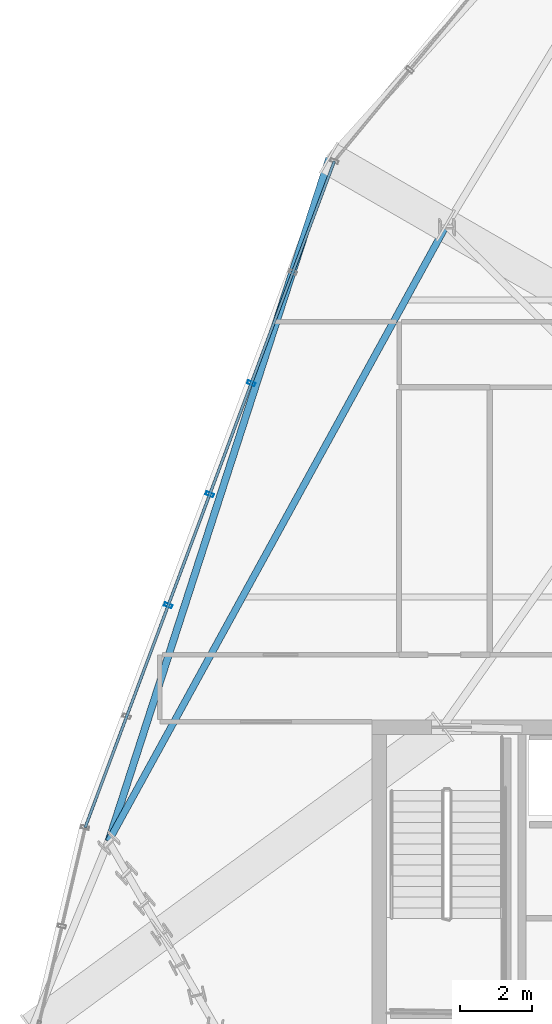
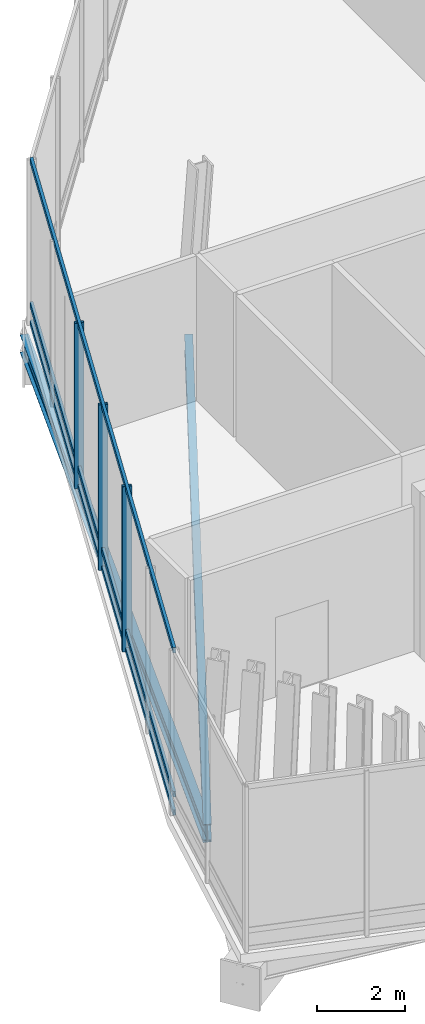
# One storey, part 6 of 28: 6 members, 2 beams, 1 element without a shape of its own.
"""IFC4 building model written with IfcOpenShell, lengths in metres."""

from ifc_helpers import new_model, si_unit, direction, frame, origin, origin_2d, place, context, subcontext, project, spatial, hollow_rectangle, i_section, extrude, material, layer, layer_set, material_profile, profile_set, type_object, element, aggregate, save


model = new_model("IFC4")

# Units and contexts
model_context = context("Model", 3, precision=1e-05, world=origin(), true_north=direction((0.0, 1.0)))
body_context = subcontext(model_context, "Body", "Model", "MODEL_VIEW")
ifc_project = project(units=[si_unit("LENGTHUNIT", "METRE"), si_unit("AREAUNIT", "SQUARE_METRE"), si_unit("VOLUMEUNIT", "CUBIC_METRE"), si_unit("PLANEANGLEUNIT", "RADIAN"), si_unit("MASSUNIT", "GRAM", prefix="KILO")], contexts=[model_context])

# Site, building, storey
site_placement = place(None, origin())
site = spatial("IfcSite", under=ifc_project, at=site_placement, CompositionType="ELEMENT")
building_placement = place(site_placement, origin())
building = spatial("IfcBuilding", under=site, at=building_placement, Name="Ndaravel Arena Tower", CompositionType="ELEMENT")
storey_placement = place(building_placement, frame((0.0, 0.0, 213.199951171875)))
storey = spatial("IfcBuildingStorey", under=building, at=storey_placement, Name="L51", CompositionType="ELEMENT", Elevation=213.199951171875)

# Beams
ifc_material_1 = material(Name="Steel S355", Category="steel")
ifc_material_profile_1 = material_profile(ifc_material_1, i_section(OverallWidth=0.18994140625, OverallDepth=0.449951171875, WebThickness=0.009521484375, FlangeThickness=0.0146484375, FilletRadius=0.02099609375, at=origin_2d()), Name="IPE 450")
ifc_profile_set_1 = profile_set([ifc_material_profile_1], Name="Steel S355")
beam_type_1 = type_object("IfcBeamType", Name="BM-SPAN-IPE450", PredefinedType="SPANDREL", material=ifc_profile_set_1)
beam_1_placement = place(storey_placement, frame((28.502197265625, 28.858642578125, -0.5048828125), z_axis=(-0.480930598805, -0.876758666415, 0.0), x_axis=(0.876758666415, -0.480930598805, 0.0)))
element("IfcBeam", 1, at=beam_1_placement, inside=storey, type_object=beam_type_1, Name="L51 Perimeter Spandrel Beam SP-19", PredefinedType="SPANDREL", context=body_context, shape_type="SweptSolid", body=[
    extrude(i_section(OverallWidth=0.18994140625, OverallDepth=0.449951171875, WebThickness=0.009521484375, FlangeThickness=0.0146484375, FilletRadius=0.02099609375, at=origin_2d()), origin(), (0.0, 0.0, 1.0), 19.401611328125),
])
ifc_material_2 = material(Name="Steel S355", Category="steel")
ifc_material_profile_2 = material_profile(ifc_material_2, i_section(OverallWidth=0.199951171875, OverallDepth=0.5, WebThickness=0.01025390625, FlangeThickness=0.01611328125, FilletRadius=0.02099609375, at=origin_2d()), Name="IPE 500")
ifc_profile_set_2 = profile_set([ifc_material_profile_2], Name="Steel S355")
beam_type_2 = type_object("IfcBeamType", Name="BM-SPAN-IPE500", PredefinedType="SPANDREL", material=ifc_profile_set_2)
beam_2_placement = place(storey_placement, frame((25.272216796875, 30.7236328125, -0.530029296875), z_axis=(-0.307548951698, -0.951532260257, 0.0), x_axis=(0.951532260257, -0.307548951698, 0.0)))
element("IfcBeam", 2, at=beam_2_placement, inside=storey, type_object=beam_type_2, Name="L51 Star Facet Edge Beam SEB-6", PredefinedType="SPANDREL", context=body_context, shape_type="SweptSolid", body=[
    extrude(i_section(OverallWidth=0.199951171875, OverallDepth=0.5, WebThickness=0.01025390625, FlangeThickness=0.01611328125, FilletRadius=0.02099609375, at=origin_2d()), origin(), (0.0, 0.0, 1.0), 19.8369140625),
])

# Curtain wall, members
ifc_material_3 = material(Name="Aluminium", Category="aluminium")
ifc_layer = layer(ifc_material_3, 0.179931640625)
ifc_layer_set = layer_set([ifc_layer], Name="Aluminium")
curtain_wall_type = type_object("IfcCurtainWallType", Name="CW-SYS-04", PredefinedType="NOTDEFINED", material=ifc_layer_set)
curtain_wall_placement = place(storey_placement, origin())
curtain_wall = element("IfcCurtainWall", 3, at=curtain_wall_placement, inside=storey, type_object=curtain_wall_type, Name="L51 Faceted Crystal Curtain Wall CW-L51-E11", PredefinedType="NOTDEFINED")
ifc_material_4 = material(Name="Aluminium", Category="aluminium")
ifc_material_profile_3 = material_profile(ifc_material_4, hollow_rectangle(XDim=0.090087890625, YDim=0.219970703125, WallThickness=0.0048828125, at=origin_2d()), Name="CW MULLION 90x220x5")
ifc_profile_set_3 = profile_set([ifc_material_profile_3], Name="Aluminium")
member_type_1 = type_object("IfcMemberType", Name="MEM-CW-MUL220", PredefinedType="MULLION", material=ifc_profile_set_3)
member_1_placement = place(storey_placement, frame((23.116943359375, 24.50390625, 0.0), z_axis=(0.0, 0.0, 1.0), x_axis=(-0.350272772461, -0.936647737878, 0.0)))
member_1 = element("IfcMember", 4, at=member_1_placement, type_object=member_type_1, Name="CW-L51-E11 Mullion 02", PredefinedType="MULLION", context=body_context, shape_type="SweptSolid", body=[
    extrude(hollow_rectangle(XDim=0.090087890625, YDim=0.219970703125, WallThickness=0.0048828125, at=origin_2d()), origin(), (0.0, 0.0, 1.0), 4.580078125),
])
member_2_placement = place(storey_placement, frame((21.968994140625, 21.434326171875, 0.0), z_axis=(0.0, 0.0, 1.0), x_axis=(-0.350272772461, -0.936647737878, 0.0)))
member_2 = element("IfcMember", 5, at=member_2_placement, type_object=member_type_1, Name="CW-L51-E11 Mullion 03", PredefinedType="MULLION", context=body_context, shape_type="SweptSolid", body=[
    extrude(hollow_rectangle(XDim=0.090087890625, YDim=0.219970703125, WallThickness=0.0048828125, at=origin_2d()), origin(), (0.0, 0.0, 1.0), 4.580078125),
])
member_3_placement = place(storey_placement, frame((20.8212890625, 18.364990234375, 0.0), z_axis=(0.0, 0.0, 1.0), x_axis=(-0.350272772461, -0.936647737878, 0.0)))
member_3 = element("IfcMember", 6, at=member_3_placement, type_object=member_type_1, Name="CW-L51-E11 Mullion 04", PredefinedType="MULLION", context=body_context, shape_type="SweptSolid", body=[
    extrude(hollow_rectangle(XDim=0.090087890625, YDim=0.219970703125, WallThickness=0.0048828125, at=origin_2d()), origin(), (0.0, 0.0, 1.0), 4.580078125),
])
ifc_material_5 = material(Name="Aluminium", Category="aluminium")
ifc_material_profile_4 = material_profile(ifc_material_5, hollow_rectangle(XDim=0.074951171875, YDim=0.14990234375, WallThickness=0.00390625, at=origin_2d()), Name="CW TRANSOM 75x150x4")
ifc_profile_set_4 = profile_set([ifc_material_profile_4], Name="Aluminium")
member_type_2 = type_object("IfcMemberType", Name="MEM-CW-TRN150", PredefinedType="USERDEFINED", material=ifc_profile_set_4)
member_4_placement = place(storey_placement, frame((25.41259765625, 30.642578125, 0.0400390625), z_axis=(-0.350276917062, -0.936646187935, 0.0), x_axis=(0.936646187935, -0.350276917062, 0.0)))
member_4 = element("IfcMember", 7, at=member_4_placement, type_object=member_type_2, Name="CW-L51-E11 Transom 01", ObjectType="TRANSOM", PredefinedType="USERDEFINED", context=body_context, shape_type="SweptSolid", body=[
    extrude(hollow_rectangle(XDim=0.074951171875, YDim=0.14990234375, WallThickness=0.00390625, at=origin_2d()), origin(), (0.0, 0.0, 1.0), 19.662109375),
])
member_5_placement = place(storey_placement, frame((25.41259765625, 30.642578125, 0.550048828125), z_axis=(-0.350276917062, -0.936646187935, 0.0), x_axis=(0.936646187935, -0.350276917062, 0.0)))
member_5 = element("IfcMember", 8, at=member_5_placement, type_object=member_type_2, Name="CW-L51-E11 Transom 02", ObjectType="TRANSOM", PredefinedType="USERDEFINED", context=body_context, shape_type="SweptSolid", body=[
    extrude(hollow_rectangle(XDim=0.074951171875, YDim=0.14990234375, WallThickness=0.00390625, at=origin_2d()), origin(), (0.0, 0.0, 1.0), 19.662109375),
])
member_6_placement = place(storey_placement, frame((25.41259765625, 30.642578125, 4.5400390625), z_axis=(-0.350276917062, -0.936646187935, 0.0), x_axis=(0.936646187935, -0.350276917062, 0.0)))
member_6 = element("IfcMember", 9, at=member_6_placement, type_object=member_type_2, Name="CW-L51-E11 Transom 03", ObjectType="TRANSOM", PredefinedType="USERDEFINED", context=body_context, shape_type="SweptSolid", body=[
    extrude(hollow_rectangle(XDim=0.074951171875, YDim=0.14990234375, WallThickness=0.00390625, at=origin_2d()), origin(), (0.0, 0.0, 1.0), 19.662109375),
])
aggregate(curtain_wall, [member_1, member_2, member_3, member_4, member_5, member_6])

save(model, "model.ifc")
